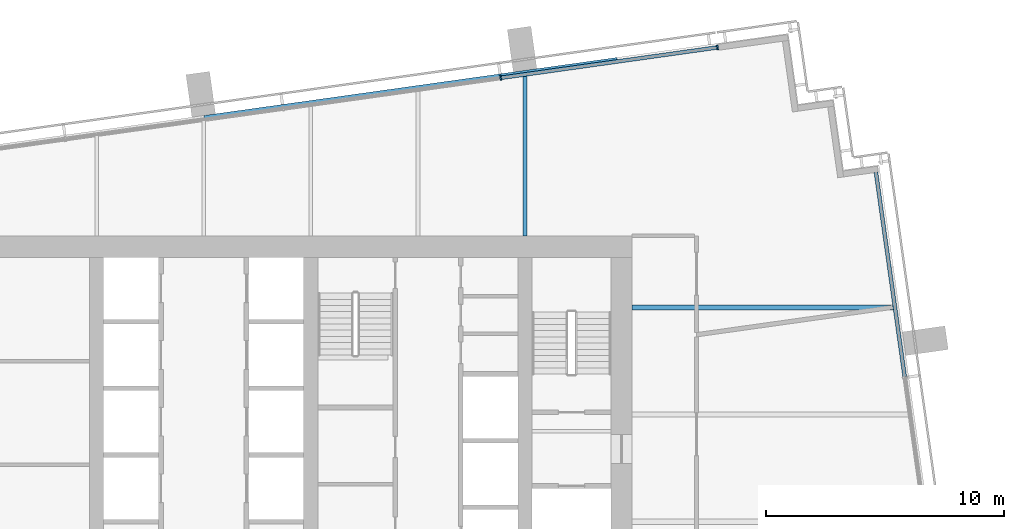
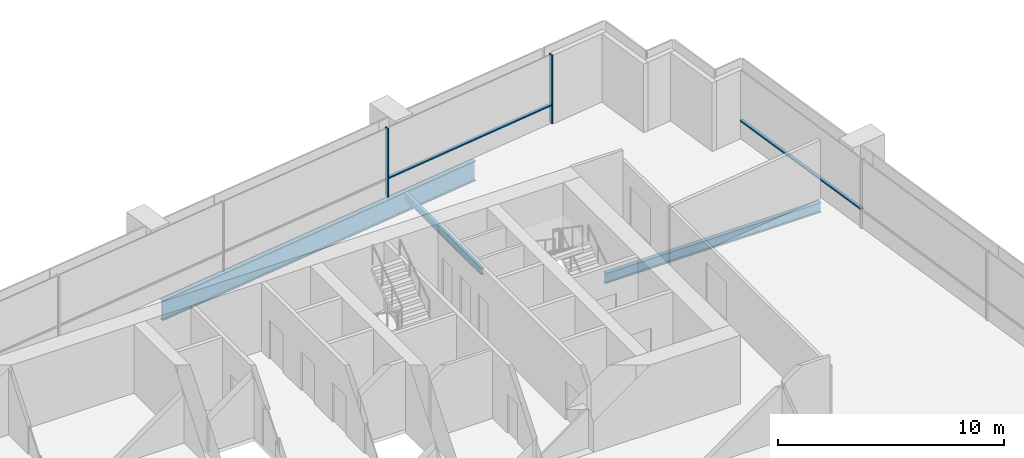
# One storey, part 7 of 17: 4 members, 3 beams, 2 elements without a shape of their own.
"""IFC4 building model written with IfcOpenShell, lengths in metres."""

from ifc_helpers import new_model, si_unit, direction, frame, origin, origin_2d, place, context, subcontext, project, spatial, rectangle, i_section, extrude, material, layer, layer_set, material_profile, profile_set, type_object, element, aggregate, save


model = new_model("IFC4")

# Units and contexts
model_context = context("Model", 3, precision=1e-05, world=origin(), true_north=direction((0.0, 1.0)))
body_context = subcontext(model_context, "Body", "Model", "MODEL_VIEW")
ifc_project = project(units=[si_unit("LENGTHUNIT", "METRE"), si_unit("AREAUNIT", "SQUARE_METRE"), si_unit("VOLUMEUNIT", "CUBIC_METRE"), si_unit("PLANEANGLEUNIT", "RADIAN"), si_unit("MASSUNIT", "GRAM", prefix="KILO")], contexts=[model_context])

# Site, building, storey
site_placement = place(None, origin())
site = spatial("IfcSite", under=ifc_project, at=site_placement, CompositionType="ELEMENT")
building_placement = place(site_placement, origin())
building = spatial("IfcBuilding", under=site, at=building_placement, Name="Rattan Terrace Tower", CompositionType="ELEMENT")
storey_placement = place(building_placement, frame((0.0, 0.0, 221.300048828125)))
storey = spatial("IfcBuildingStorey", under=building, at=storey_placement, Name="L50", CompositionType="ELEMENT", Elevation=221.300048828125)

# Beams
ifc_material_1 = material(Name="Steel S460", Category="steel")
ifc_material_profile_1 = material_profile(ifc_material_1, i_section(OverallWidth=0.179931640625, OverallDepth=1.10009765625, WebThickness=0.01611328125, FlangeThickness=0.050048828125, at=origin_2d()), Name="PG 1100x180-16-50")
ifc_profile_set_1 = profile_set([ifc_material_profile_1], Name="Steel S460")
beam_type_1 = type_object("IfcBeamType", Name="Frame edge girder PG 1100x180-16-50", PredefinedType="SPANDREL", material=ifc_profile_set_1)
beam_1_placement = place(storey_placement, frame((17.3740234375, 14.909912109375, -0.75), z_axis=(-0.990275742813, -0.139118486179, 0.0), x_axis=(0.139118486179, -0.990275742813, 0.0)))
element("IfcBeam", 1, at=beam_1_placement, inside=storey, type_object=beam_type_1, Name="gdr-L50-006", PredefinedType="SPANDREL", context=body_context, shape_type="SweptSolid", body=[
    extrude(i_section(OverallWidth=0.179931640625, OverallDepth=1.10009765625, WebThickness=0.01611328125, FlangeThickness=0.050048828125, at=origin_2d()), origin(), (0.0, 0.0, 1.0), 17.531494140625),
])
ifc_material_2 = material(Name="Steel S355", Category="steel")
ifc_material_profile_2 = material_profile(ifc_material_2, i_section(OverallWidth=0.169921875, OverallDepth=0.360107421875, WebThickness=0.008056640625, FlangeThickness=0.0126953125, FilletRadius=0.01806640625, at=origin_2d()), Name="IPE 360")
ifc_profile_set_2 = profile_set([ifc_material_profile_2], Name="Steel S355")
beam_type_2 = type_object("IfcBeamType", Name="Frame floor beam IPE 360", PredefinedType="JOIST", material=ifc_profile_set_2)
beam_2_placement = place(storey_placement, frame((13.5, 7.5, -0.380126953125), z_axis=(0.0, 1.0, 0.0), x_axis=(-1.0, 0.0, 0.0)))
element("IfcBeam", 2, at=beam_2_placement, inside=storey, type_object=beam_type_2, Name="bm-L50-020", PredefinedType="JOIST", context=body_context, shape_type="SweptSolid", body=[
    extrude(i_section(OverallWidth=0.169921875, OverallDepth=0.360107421875, WebThickness=0.008056640625, FlangeThickness=0.0126953125, FilletRadius=0.01806640625, at=origin_2d()), origin(), (0.0, 0.0, 1.0), 6.762939453125),
])
ifc_material_3 = material(Name="Steel S355", Category="steel")
ifc_material_profile_3 = material_profile(ifc_material_3, i_section(OverallWidth=0.2099609375, OverallDepth=0.550048828125, WebThickness=0.010986328125, FlangeThickness=0.01708984375, FilletRadius=0.02392578125, at=origin_2d()), Name="IPE 550")
ifc_profile_set_3 = profile_set([ifc_material_profile_3], Name="Steel S355")
beam_type_3 = type_object("IfcBeamType", Name="Frame floor beam IPE 550", PredefinedType="JOIST", material=ifc_profile_set_3)
beam_3_placement = place(storey_placement, frame((18.0, 4.5, -0.47509765625), z_axis=(1.0, 0.0, 0.0), x_axis=(0.0, 1.0, 0.0)))
element("IfcBeam", 3, at=beam_3_placement, inside=storey, type_object=beam_type_3, Name="bm-L50-013", PredefinedType="JOIST", context=body_context, shape_type="SweptSolid", body=[
    extrude(i_section(OverallWidth=0.2099609375, OverallDepth=0.550048828125, WebThickness=0.010986328125, FlangeThickness=0.01708984375, FilletRadius=0.02392578125, at=origin_2d()), origin(), (0.0, 0.0, 1.0), 11.013916015625),
])

# Curtain wall, members
ifc_material_4 = material(Name="Aluminium and laminated glass", Category="aluminium")
ifc_layer = layer(ifc_material_4, 0.199951171875)
ifc_layer_set = layer_set([ifc_layer], Name="High-Zone Unitised Curtain Wall")
curtain_wall_type = type_object("IfcCurtainWallType", Name="High-Zone Unitised Curtain Wall", PredefinedType="NOTDEFINED", material=ifc_layer_set)
curtain_wall_1_placement = place(storey_placement, origin())
curtain_wall_1 = element("IfcCurtainWall", 4, at=curtain_wall_1_placement, inside=storey, type_object=curtain_wall_type, Name="High-zone curtain wall L50-2", PredefinedType="NOTDEFINED")
ifc_material_5 = material(Name="Aluminium", Category="aluminium")
ifc_material_profile_4 = material_profile(ifc_material_5, rectangle(XDim=0.070068359375, YDim=0.199951171875, at=origin_2d()), Name="Aluminium 70x200")
ifc_profile_set_4 = profile_set([ifc_material_profile_4], Name="Aluminium")
member_type_1 = type_object("IfcMemberType", Name="High-Zone CW Mullion 70x200", PredefinedType="MULLION", material=ifc_profile_set_4)
member_1_placement = place(storey_placement, frame((21.580078125, 15.4208984375, 0.0), z_axis=(0.0, 0.0, 1.0), x_axis=(-0.990267457022, -0.139177453499, 0.0)))
member_1 = element("IfcMember", 5, at=member_1_placement, type_object=member_type_1, Name="Mullion cwl-L50-002.1", PredefinedType="MULLION", context=body_context, shape_type="SweptSolid", body=[
    extrude(rectangle(XDim=0.070068359375, YDim=0.199951171875, at=origin_2d()), origin(), (0.0, 0.0, 1.0), 3.699951171875),
])
member_2_placement = place(storey_placement, frame((12.473388671875, 14.140869140625, 0.0), z_axis=(0.0, 0.0, 1.0), x_axis=(-0.990267457022, -0.139177453499, 0.0)))
member_2 = element("IfcMember", 6, at=member_2_placement, type_object=member_type_1, Name="Mullion cwl-L50-002.2", PredefinedType="MULLION", context=body_context, shape_type="SweptSolid", body=[
    extrude(rectangle(XDim=0.070068359375, YDim=0.199951171875, at=origin_2d()), origin(), (0.0, 0.0, 1.0), 3.699951171875),
])

# Curtain wall, member
curtain_wall_2_placement = place(storey_placement, origin())
curtain_wall_2 = element("IfcCurtainWall", 7, at=curtain_wall_2_placement, inside=storey, type_object=curtain_wall_type, Name="High-zone curtain wall L50-1", PredefinedType="NOTDEFINED")
ifc_material_6 = material(Name="Aluminium", Category="aluminium")
ifc_material_profile_5 = material_profile(ifc_material_6, rectangle(XDim=0.159912109375, YDim=0.070068359375, at=origin_2d()), Name="Aluminium 160x70")
ifc_profile_set_5 = profile_set([ifc_material_profile_5], Name="Aluminium")
member_type_2 = type_object("IfcMemberType", Name="High-Zone CW Transom 160x70", PredefinedType="USERDEFINED", material=ifc_profile_set_5)
member_3_placement = place(storey_placement, frame((29.447509765625, 1.585693359375, 1.0), z_axis=(-0.139193563319, 0.990265192729, 0.0), x_axis=(-0.990265192729, -0.139193563319, 0.0)))
member_3 = element("IfcMember", 8, at=member_3_placement, type_object=member_type_2, Name="Transom cwl-L50-001.3", ObjectType="TRANSOM", PredefinedType="USERDEFINED", context=body_context, shape_type="SweptSolid", body=[
    extrude(rectangle(XDim=0.159912109375, YDim=0.070068359375, at=origin_2d()), origin(), (0.0, 0.0, 1.0), 8.669921875),
])
aggregate(curtain_wall_2, [member_3])

# Member
member_4_placement = place(storey_placement, frame((21.54541015625, 15.416015625, 1.0), z_axis=(-0.990265856778, -0.139188838988, 0.0), x_axis=(0.139188838988, -0.990265856778, 0.0)))
member_4 = element("IfcMember", 9, at=member_4_placement, type_object=member_type_2, Name="Transom cwl-L50-002.1", ObjectType="TRANSOM", PredefinedType="USERDEFINED", context=body_context, shape_type="SweptSolid", body=[
    extrude(rectangle(XDim=0.159912109375, YDim=0.070068359375, at=origin_2d()), origin(), (0.0, 0.0, 1.0), 9.126220703125),
])

aggregate(curtain_wall_1, [member_1, member_2, member_4])

save(model, "model.ifc")
